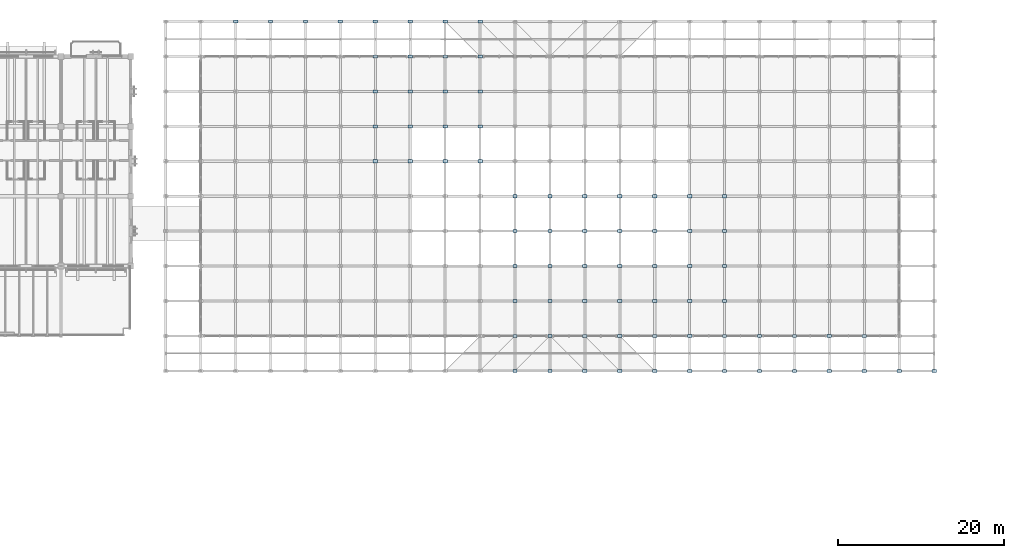
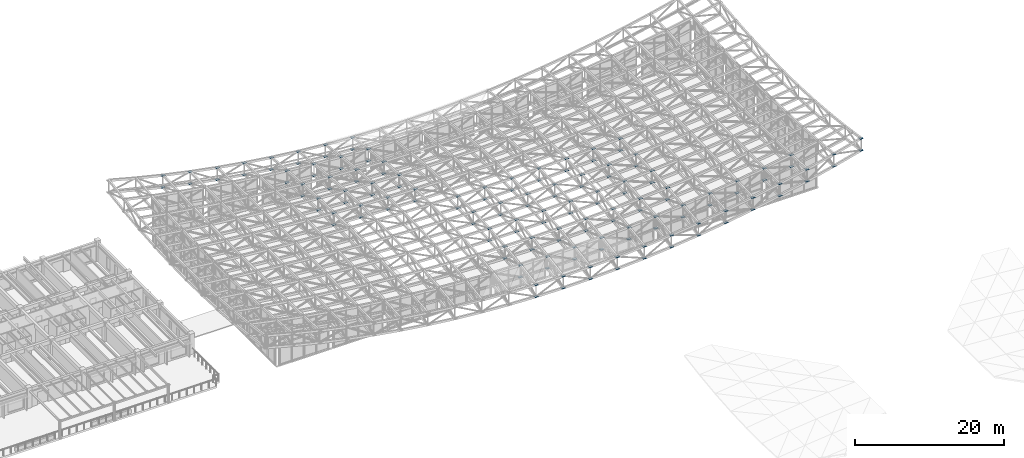
# One storey, part 79 of 111: 152 plates.
"""IFC4 building model written with IfcOpenShell, lengths in metres."""

from ifc_helpers import new_model, si_unit, direction, frame, origin, origin_2d, place, context, subcontext, project, spatial, rectangle, extrude, material, layer, layer_set, type_object, element, save


model = new_model("IFC4")

# Units and contexts
model_context = context("Model", 3, precision=1e-05, world=origin(), true_north=direction((0.0, 1.0)))
body_context = subcontext(model_context, "Body", "Model", "MODEL_VIEW")
ifc_project = project(units=[si_unit("LENGTHUNIT", "METRE"), si_unit("AREAUNIT", "SQUARE_METRE"), si_unit("VOLUMEUNIT", "CUBIC_METRE"), si_unit("PLANEANGLEUNIT", "RADIAN"), si_unit("MASSUNIT", "GRAM", prefix="KILO")], contexts=[model_context])

# Site, building, storey
site_placement = place(None, origin())
site = spatial("IfcSite", under=ifc_project, at=site_placement, CompositionType="ELEMENT")
building_placement = place(site_placement, origin())
building = spatial("IfcBuilding", under=site, at=building_placement, Name="Cumbredor Promenade Congress Hotel", CompositionType="ELEMENT")
storey_placement = place(building_placement, frame((0.0, 0.0, 15.1201171875)))
storey = spatial("IfcBuildingStorey", under=building, at=storey_placement, Name="L04", CompositionType="ELEMENT", Elevation=15.1201171875)

# Plates
ifc_material = material(Name="Steel ASTM A572 Grade 50", Category="steel")
ifc_layer = layer(ifc_material, 0.030029296875, Name="Steel ASTM A572 Grade 50", Category="steel")
ifc_layer_set = layer_set([ifc_layer], Name="Steel ASTM A572 Grade 50")
plate_type = type_object("IfcPlateType", Name="Forum Truss Node Assembly ND-04", PredefinedType="USERDEFINED", material=ifc_layer_set)
for number, where, z_axis, x_axis, name in (
    (1, (96.60009765625, 121.800048828125, 6.90869140625), (0.0, 0.0, 1.0), (1.0, 0.0, 0.0), "Pre-Function and Breakout Meeting Forum Space Frame Top Node 3.11"),
    (2, (96.60009765625, 121.800048828125, 4.958984375), (0.0, 0.0, 1.0), (1.0, 0.0, 0.0), "Pre-Function and Breakout Meeting Forum Space Frame Bottom Node 3.11"),
    (3, (100.800048828125, 121.800048828125, 6.01123046875), (0.0, 0.0, 1.0), (1.0, 0.0, 0.0), "Pre-Function and Breakout Meeting Forum Space Frame Top Node 4.11"),
    (4, (100.800048828125, 121.800048828125, 4.06103515625), (0.0, 0.0, 1.0), (1.0, 0.0, 0.0), "Pre-Function and Breakout Meeting Forum Space Frame Bottom Node 4.11"),
    (5, (105.0, 121.800048828125, 5.21875), (0.0, 0.0, 1.0), (1.0, 0.0, 0.0), "Pre-Function and Breakout Meeting Forum Space Frame Top Node 5.11"),
    (6, (105.0, 121.800048828125, 3.26904296875), (0.0, 0.0, 1.0), (1.0, 0.0, 0.0), "Pre-Function and Breakout Meeting Forum Space Frame Bottom Node 5.11"),
    (7, (109.199951171875, 121.800048828125, 4.53173828125), (0.0, 0.0, 1.0), (1.0, 0.0, 0.0), "Pre-Function and Breakout Meeting Forum Space Frame Top Node 6.11"),
    (8, (109.199951171875, 121.800048828125, 2.58203125), (0.0, 0.0, 1.0), (1.0, 0.0, 0.0), "Pre-Function and Breakout Meeting Forum Space Frame Bottom Node 6.11"),
    (9, (113.39990234375, 105.0, 5.0634765625), (0.0, 0.0, 1.0), (1.0, 0.0, 0.0), "Pre-Function and Breakout Meeting Forum Space Frame Top Node 7.7"),
    (10, (113.39990234375, 105.0, 3.11328125), (0.0, 0.0, 1.0), (1.0, 0.0, 0.0), "Pre-Function and Breakout Meeting Forum Space Frame Bottom Node 7.7"),
    (11, (113.39990234375, 109.199951171875, 4.923828125), (0.0, 0.0, 1.0), (1.0, 0.0, 0.0), "Pre-Function and Breakout Meeting Forum Space Frame Top Node 7.8"),
    (12, (113.39990234375, 109.199951171875, 2.97412109375), (0.0, 0.0, 1.0), (1.0, 0.0, 0.0), "Pre-Function and Breakout Meeting Forum Space Frame Bottom Node 7.8"),
    (13, (113.39990234375, 113.39990234375, 4.69189453125), (0.0, 0.0, 1.0), (1.0, 0.0, 0.0), "Pre-Function and Breakout Meeting Forum Space Frame Top Node 7.9"),
    (14, (113.39990234375, 113.39990234375, 2.74169921875), (0.0, 0.0, 1.0), (1.0, 0.0, 0.0), "Pre-Function and Breakout Meeting Forum Space Frame Bottom Node 7.9"),
    (15, (113.39990234375, 117.60009765625, 4.36669921875), (0.0, 0.0, 1.0), (1.0, 0.0, 0.0), "Pre-Function and Breakout Meeting Forum Space Frame Top Node 7.10"),
    (16, (113.39990234375, 117.60009765625, 2.4169921875), (0.0, 0.0, 1.0), (1.0, 0.0, 0.0), "Pre-Function and Breakout Meeting Forum Space Frame Bottom Node 7.10"),
    (17, (113.39990234375, 121.800048828125, 3.95068359375), (0.0, 0.0, 1.0), (1.0, 0.0, 0.0), "Pre-Function and Breakout Meeting Forum Space Frame Top Node 7.11"),
    (18, (113.39990234375, 121.800048828125, 2.00048828125), (0.0, 0.0, 1.0), (1.0, 0.0, 0.0), "Pre-Function and Breakout Meeting Forum Space Frame Bottom Node 7.11"),
    (19, (117.60009765625, 105.0, 4.84423828125), (0.0, 0.0, 1.0), (1.0, 0.0, 0.0), "Pre-Function and Breakout Meeting Forum Space Frame Top Node 8.7"),
    (20, (117.60009765625, 105.0, 2.89453125), (0.0, 0.0, 1.0), (1.0, 0.0, 0.0), "Pre-Function and Breakout Meeting Forum Space Frame Bottom Node 8.7"),
    (21, (117.60009765625, 109.199951171875, 4.6728515625), (0.0, 0.0, 1.0), (1.0, 0.0, 0.0), "Pre-Function and Breakout Meeting Forum Space Frame Top Node 8.8"),
    (22, (117.60009765625, 109.199951171875, 2.72314453125), (0.0, 0.0, 1.0), (1.0, 0.0, 0.0), "Pre-Function and Breakout Meeting Forum Space Frame Bottom Node 8.8"),
    (23, (117.60009765625, 113.39990234375, 4.38720703125), (0.0, 0.0, 1.0), (1.0, 0.0, 0.0), "Pre-Function and Breakout Meeting Forum Space Frame Top Node 8.9"),
    (24, (117.60009765625, 113.39990234375, 2.4375), (0.0, 0.0, 1.0), (1.0, 0.0, 0.0), "Pre-Function and Breakout Meeting Forum Space Frame Bottom Node 8.9"),
    (25, (117.60009765625, 117.60009765625, 3.9873046875), (0.0, 0.0, 1.0), (1.0, 0.0, 0.0), "Pre-Function and Breakout Meeting Forum Space Frame Top Node 8.10"),
    (26, (117.60009765625, 117.60009765625, 2.03759765625), (0.0, 0.0, 1.0), (1.0, 0.0, 0.0), "Pre-Function and Breakout Meeting Forum Space Frame Bottom Node 8.10"),
    (27, (117.60009765625, 121.800048828125, 3.474609375), (0.0, 0.0, 1.0), (1.0, 0.0, 0.0), "Pre-Function and Breakout Meeting Forum Space Frame Top Node 8.11"),
    (28, (117.60009765625, 121.800048828125, 1.52490234375), (0.0, 0.0, 1.0), (1.0, 0.0, 0.0), "Pre-Function and Breakout Meeting Forum Space Frame Bottom Node 8.11"),
    (29, (121.800048828125, 105.0, 4.67431640625), (0.0, 0.0, 1.0), (1.0, 0.0, 0.0), "Pre-Function and Breakout Meeting Forum Space Frame Top Node 9.7"),
    (30, (121.800048828125, 105.0, 2.724609375), (0.0, 0.0, 1.0), (1.0, 0.0, 0.0), "Pre-Function and Breakout Meeting Forum Space Frame Bottom Node 9.7"),
    (31, (121.800048828125, 109.199951171875, 4.47802734375), (0.0, 0.0, 1.0), (1.0, 0.0, 0.0), "Pre-Function and Breakout Meeting Forum Space Frame Top Node 9.8"),
    (32, (121.800048828125, 109.199951171875, 2.52783203125), (0.0, 0.0, 1.0), (1.0, 0.0, 0.0), "Pre-Function and Breakout Meeting Forum Space Frame Bottom Node 9.8"),
    (33, (121.800048828125, 113.39990234375, 4.150390625), (0.0, 0.0, 1.0), (1.0, 0.0, 0.0), "Pre-Function and Breakout Meeting Forum Space Frame Top Node 9.9"),
    (34, (121.800048828125, 113.39990234375, 2.20068359375), (0.0, 0.0, 1.0), (1.0, 0.0, 0.0), "Pre-Function and Breakout Meeting Forum Space Frame Bottom Node 9.9"),
    (35, (121.800048828125, 117.60009765625, 3.69189453125), (0.0, 0.0, 1.0), (1.0, 0.0, 0.0), "Pre-Function and Breakout Meeting Forum Space Frame Top Node 9.10"),
    (36, (121.800048828125, 117.60009765625, 1.7421875), (0.0, 0.0, 1.0), (1.0, 0.0, 0.0), "Pre-Function and Breakout Meeting Forum Space Frame Bottom Node 9.10"),
    (37, (121.800048828125, 121.800048828125, 3.1044921875), (0.0, 0.0, 1.0), (1.0, 0.0, 0.0), "Pre-Function and Breakout Meeting Forum Space Frame Top Node 9.11"),
    (38, (121.800048828125, 121.800048828125, 1.154296875), (0.0, 0.0, 1.0), (1.0, 0.0, 0.0), "Pre-Function and Breakout Meeting Forum Space Frame Bottom Node 9.11"),
    (39, (126.0, 105.0, 4.552734375), (0.0, 0.0, 1.0), (1.0, 0.0, 0.0), "Pre-Function and Breakout Meeting Forum Space Frame Top Node 10.7"),
    (40, (126.0, 105.0, 2.6025390625), (0.0, 0.0, 1.0), (1.0, 0.0, 0.0), "Pre-Function and Breakout Meeting Forum Space Frame Bottom Node 10.7"),
    (41, (126.0, 109.199951171875, 4.33837890625), (0.0, 0.0, 1.0), (1.0, 0.0, 0.0), "Pre-Function and Breakout Meeting Forum Space Frame Top Node 10.8"),
    (42, (126.0, 109.199951171875, 2.38818359375), (0.0, 0.0, 1.0), (1.0, 0.0, 0.0), "Pre-Function and Breakout Meeting Forum Space Frame Bottom Node 10.8"),
    (43, (126.0, 113.39990234375, 3.98095703125), (0.0, 0.0, 1.0), (1.0, 0.0, 0.0), "Pre-Function and Breakout Meeting Forum Space Frame Top Node 10.9"),
    (44, (126.0, 113.39990234375, 2.03125), (0.0, 0.0, 1.0), (1.0, 0.0, 0.0), "Pre-Function and Breakout Meeting Forum Space Frame Bottom Node 10.9"),
    (45, (126.0, 117.60009765625, 3.48095703125), (0.0, 0.0, 1.0), (1.0, 0.0, 0.0), "Pre-Function and Breakout Meeting Forum Space Frame Top Node 10.10"),
    (46, (126.0, 117.60009765625, 1.53125), (0.0, 0.0, 1.0), (1.0, 0.0, 0.0), "Pre-Function and Breakout Meeting Forum Space Frame Bottom Node 10.10"),
    (47, (126.0, 121.800048828125, 2.83984375), (0.0, 0.0, 1.0), (1.0, 0.0, 0.0), "Pre-Function and Breakout Meeting Forum Space Frame Top Node 10.11"),
    (48, (126.0, 121.800048828125, 0.89013671875), (0.0, 0.0, 1.0), (1.0, 0.0, 0.0), "Pre-Function and Breakout Meeting Forum Space Frame Bottom Node 10.11"),
    (49, (130.199951171875, 79.800048828125, 2.68115234375), (0.0, 0.0, 1.0), (1.0, 0.0, 0.0), "Pre-Function and Breakout Meeting Forum Space Frame Top Node 11.1"),
    (50, (130.199951171875, 79.800048828125, 0.7314453125), (0.0, 0.0, 1.0), (1.0, 0.0, 0.0), "Pre-Function and Breakout Meeting Forum Space Frame Bottom Node 11.1"),
    (51, (130.199951171875, 84.0, 3.3544921875), (0.0, 0.0, 1.0), (1.0, 0.0, 0.0), "Pre-Function and Breakout Meeting Forum Space Frame Top Node 11.2"),
    (52, (130.199951171875, 84.0, 1.40478515625), (0.0, 0.0, 1.0), (1.0, 0.0, 0.0), "Pre-Function and Breakout Meeting Forum Space Frame Bottom Node 11.2"),
    (53, (130.199951171875, 88.199951171875, 3.8798828125), (0.0, 0.0, 1.0), (1.0, 0.0, 0.0), "Pre-Function and Breakout Meeting Forum Space Frame Top Node 11.3"),
    (54, (130.199951171875, 88.199951171875, 1.9296875), (0.0, 0.0, 1.0), (1.0, 0.0, 0.0), "Pre-Function and Breakout Meeting Forum Space Frame Bottom Node 11.3"),
    (55, (130.199951171875, 92.39990234375, 4.2548828125), (0.0, 0.0, 1.0), (1.0, 0.0, 0.0), "Pre-Function and Breakout Meeting Forum Space Frame Top Node 11.4"),
    (56, (130.199951171875, 92.39990234375, 2.3046875), (0.0, 0.0, 1.0), (1.0, 0.0, 0.0), "Pre-Function and Breakout Meeting Forum Space Frame Bottom Node 11.4"),
    (57, (130.199951171875, 96.60009765625, 4.45556640625), (0.0, 0.0, 1.0), (1.0, 0.0, 0.0), "Pre-Function and Breakout Meeting Forum Space Frame Top Node 11.5"),
    (58, (130.199951171875, 96.60009765625, 2.50537109375), (0.0, 0.0, 1.0), (1.0, 0.0, 0.0), "Pre-Function and Breakout Meeting Forum Space Frame Bottom Node 11.5"),
    (59, (130.199951171875, 100.800048828125, 4.45556640625), (0.0, 0.0, 1.0), (1.0, 0.0, 0.0), "Pre-Function and Breakout Meeting Forum Space Frame Top Node 11.6"),
    (60, (130.199951171875, 100.800048828125, 2.505859375), (0.0, 0.0, 1.0), (1.0, 0.0, 0.0), "Pre-Function and Breakout Meeting Forum Space Frame Bottom Node 11.6"),
    (61, (134.39990234375, 79.800048828125, 2.62841796875), (0.0, 0.0, 1.0), (1.0, 0.0, 0.0), "Pre-Function and Breakout Meeting Forum Space Frame Top Node 12.1"),
    (62, (134.39990234375, 79.800048828125, 0.6787109375), (0.0, 0.0, 1.0), (1.0, 0.0, 0.0), "Pre-Function and Breakout Meeting Forum Space Frame Bottom Node 12.1"),
    (63, (134.39990234375, 84.0, 3.3125), (0.0, 0.0, 1.0), (1.0, 0.0, 0.0), "Pre-Function and Breakout Meeting Forum Space Frame Top Node 12.2"),
    (64, (134.39990234375, 84.0, 1.36279296875), (0.0, 0.0, 1.0), (1.0, 0.0, 0.0), "Pre-Function and Breakout Meeting Forum Space Frame Bottom Node 12.2"),
    (65, (134.39990234375, 88.199951171875, 3.845703125), (0.0, 0.0, 1.0), (1.0, 0.0, 0.0), "Pre-Function and Breakout Meeting Forum Space Frame Top Node 12.3"),
    (66, (134.39990234375, 88.199951171875, 1.89599609375), (0.0, 0.0, 1.0), (1.0, 0.0, 0.0), "Pre-Function and Breakout Meeting Forum Space Frame Bottom Node 12.3"),
    (67, (134.39990234375, 92.39990234375, 4.22705078125), (0.0, 0.0, 1.0), (1.0, 0.0, 0.0), "Pre-Function and Breakout Meeting Forum Space Frame Top Node 12.4"),
    (68, (134.39990234375, 92.39990234375, 2.27685546875), (0.0, 0.0, 1.0), (1.0, 0.0, 0.0), "Pre-Function and Breakout Meeting Forum Space Frame Bottom Node 12.4"),
    (69, (134.39990234375, 96.60009765625, 4.45556640625), (0.0, 0.0, 1.0), (1.0, 0.0, 0.0), "Pre-Function and Breakout Meeting Forum Space Frame Top Node 12.5"),
    (70, (134.39990234375, 96.60009765625, 2.50537109375), (0.0, 0.0, 1.0), (1.0, 0.0, 0.0), "Pre-Function and Breakout Meeting Forum Space Frame Bottom Node 12.5"),
    (71, (134.39990234375, 100.800048828125, 4.4560546875), (0.0, 0.0, 1.0), (1.0, 0.0, 0.0), "Pre-Function and Breakout Meeting Forum Space Frame Top Node 12.6"),
    (72, (134.39990234375, 100.800048828125, 2.505859375), (0.0, 0.0, 1.0), (1.0, 0.0, 0.0), "Pre-Function and Breakout Meeting Forum Space Frame Bottom Node 12.6"),
    (73, (138.60009765625, 79.800048828125, 2.68115234375), (0.0, 0.0, 1.0), (1.0, 0.0, 0.0), "Pre-Function and Breakout Meeting Forum Space Frame Top Node 13.1"),
    (74, (138.60009765625, 79.800048828125, 0.7314453125), (0.0, 0.0, 1.0), (1.0, 0.0, 0.0), "Pre-Function and Breakout Meeting Forum Space Frame Bottom Node 13.1"),
    (75, (138.60009765625, 84.0, 3.3544921875), (0.0, 0.0, 1.0), (1.0, 0.0, 0.0), "Pre-Function and Breakout Meeting Forum Space Frame Top Node 13.2"),
    (76, (138.60009765625, 84.0, 1.40478515625), (0.0, 0.0, 1.0), (1.0, 0.0, 0.0), "Pre-Function and Breakout Meeting Forum Space Frame Bottom Node 13.2"),
    (77, (138.60009765625, 88.199951171875, 3.8798828125), (0.0, 0.0, 1.0), (1.0, 0.0, 0.0), "Pre-Function and Breakout Meeting Forum Space Frame Top Node 13.3"),
    (78, (138.60009765625, 88.199951171875, 1.9296875), (0.0, 0.0, 1.0), (1.0, 0.0, 0.0), "Pre-Function and Breakout Meeting Forum Space Frame Bottom Node 13.3"),
    (79, (138.60009765625, 92.39990234375, 4.2548828125), (0.0, 0.0, 1.0), (1.0, 0.0, 0.0), "Pre-Function and Breakout Meeting Forum Space Frame Top Node 13.4"),
    (80, (138.60009765625, 92.39990234375, 2.3046875), (0.0, 0.0, 1.0), (1.0, 0.0, 0.0), "Pre-Function and Breakout Meeting Forum Space Frame Bottom Node 13.4"),
    (81, (138.60009765625, 96.60009765625, 4.45556640625), (0.0, 0.0, 1.0), (1.0, 0.0, 0.0), "Pre-Function and Breakout Meeting Forum Space Frame Top Node 13.5"),
    (82, (138.60009765625, 96.60009765625, 2.50537109375), (0.0, 0.0, 1.0), (1.0, 0.0, 0.0), "Pre-Function and Breakout Meeting Forum Space Frame Bottom Node 13.5"),
    (83, (138.60009765625, 100.800048828125, 4.45556640625), (0.0, 0.0, 1.0), (1.0, 0.0, 0.0), "Pre-Function and Breakout Meeting Forum Space Frame Top Node 13.6"),
    (84, (138.60009765625, 100.800048828125, 2.505859375), (0.0, 0.0, 1.0), (1.0, 0.0, 0.0), "Pre-Function and Breakout Meeting Forum Space Frame Bottom Node 13.6"),
    (85, (142.800048828125, 79.800048828125, 2.83984375), (0.0, 0.0, 1.0), (1.0, 0.0, 0.0), "Pre-Function and Breakout Meeting Forum Space Frame Top Node 14.1"),
    (86, (142.800048828125, 79.800048828125, 0.89013671875), (0.0, 0.0, 1.0), (1.0, 0.0, 0.0), "Pre-Function and Breakout Meeting Forum Space Frame Bottom Node 14.1"),
    (87, (142.800048828125, 84.0, 3.48095703125), (0.0, 0.0, 1.0), (1.0, 0.0, 0.0), "Pre-Function and Breakout Meeting Forum Space Frame Top Node 14.2"),
    (88, (142.800048828125, 84.0, 1.53125), (0.0, 0.0, 1.0), (1.0, 0.0, 0.0), "Pre-Function and Breakout Meeting Forum Space Frame Bottom Node 14.2"),
    (89, (142.800048828125, 88.199951171875, 3.98095703125), (0.0, 0.0, 1.0), (1.0, 0.0, 0.0), "Pre-Function and Breakout Meeting Forum Space Frame Top Node 14.3"),
    (90, (142.800048828125, 88.199951171875, 2.03125), (0.0, 0.0, 1.0), (1.0, 0.0, 0.0), "Pre-Function and Breakout Meeting Forum Space Frame Bottom Node 14.3"),
    (91, (142.800048828125, 92.39990234375, 4.33837890625), (0.0, 0.0, 1.0), (1.0, 0.0, 0.0), "Pre-Function and Breakout Meeting Forum Space Frame Top Node 14.4"),
    (92, (142.800048828125, 92.39990234375, 2.38818359375), (0.0, 0.0, 1.0), (1.0, 0.0, 0.0), "Pre-Function and Breakout Meeting Forum Space Frame Bottom Node 14.4"),
    (93, (142.800048828125, 96.60009765625, 4.552734375), (0.0, 0.0, 1.0), (1.0, 0.0, 0.0), "Pre-Function and Breakout Meeting Forum Space Frame Top Node 14.5"),
    (94, (142.800048828125, 96.60009765625, 2.6025390625), (0.0, 0.0, 1.0), (1.0, 0.0, 0.0), "Pre-Function and Breakout Meeting Forum Space Frame Bottom Node 14.5"),
    (95, (142.800048828125, 100.800048828125, 4.62451171875), (0.0, 0.0, 1.0), (1.0, 0.0, 0.0), "Pre-Function and Breakout Meeting Forum Space Frame Top Node 14.6"),
    (96, (142.800048828125, 100.800048828125, 2.67431640625), (0.0, 0.0, 1.0), (1.0, 0.0, 0.0), "Pre-Function and Breakout Meeting Forum Space Frame Bottom Node 14.6"),
    (97, (147.0, 79.800048828125, 3.1044921875), (0.0, 0.0, 1.0), (1.0, 0.0, 0.0), "Pre-Function and Breakout Meeting Forum Space Frame Top Node 15.1"),
    (98, (147.0, 79.800048828125, 1.154296875), (0.0, 0.0, 1.0), (1.0, 0.0, 0.0), "Pre-Function and Breakout Meeting Forum Space Frame Bottom Node 15.1"),
    (99, (147.0, 84.0, 3.69189453125), (0.0, 0.0, 1.0), (1.0, 0.0, 0.0), "Pre-Function and Breakout Meeting Forum Space Frame Top Node 15.2"),
    (100, (147.0, 84.0, 1.7421875), (0.0, 0.0, 1.0), (1.0, 0.0, 0.0), "Pre-Function and Breakout Meeting Forum Space Frame Bottom Node 15.2"),
    (101, (147.0, 88.199951171875, 4.150390625), (0.0, 0.0, 1.0), (1.0, 0.0, 0.0), "Pre-Function and Breakout Meeting Forum Space Frame Top Node 15.3"),
    (102, (147.0, 88.199951171875, 2.20068359375), (0.0, 0.0, 1.0), (1.0, 0.0, 0.0), "Pre-Function and Breakout Meeting Forum Space Frame Bottom Node 15.3"),
    (103, (147.0, 92.39990234375, 4.47802734375), (0.0, 0.0, 1.0), (1.0, 0.0, 0.0), "Pre-Function and Breakout Meeting Forum Space Frame Top Node 15.4"),
    (104, (147.0, 92.39990234375, 2.52783203125), (0.0, 0.0, 1.0), (1.0, 0.0, 0.0), "Pre-Function and Breakout Meeting Forum Space Frame Bottom Node 15.4"),
    (105, (147.0, 96.60009765625, 4.67431640625), (0.0, 0.0, 1.0), (1.0, 0.0, 0.0), "Pre-Function and Breakout Meeting Forum Space Frame Top Node 15.5"),
    (106, (147.0, 96.60009765625, 2.724609375), (0.0, 0.0, 1.0), (1.0, 0.0, 0.0), "Pre-Function and Breakout Meeting Forum Space Frame Bottom Node 15.5"),
    (107, (147.0, 100.800048828125, 4.73974609375), (0.0, 0.0, 1.0), (1.0, 0.0, 0.0), "Pre-Function and Breakout Meeting Forum Space Frame Top Node 15.6"),
    (108, (147.0, 100.800048828125, 2.7900390625), (0.0, 0.0, 1.0), (1.0, 0.0, 0.0), "Pre-Function and Breakout Meeting Forum Space Frame Bottom Node 15.6"),
    (109, (151.199951171875, 79.800048828125, 3.474609375), (0.0, 0.0, 1.0), (1.0, 0.0, 0.0), "Pre-Function and Breakout Meeting Forum Space Frame Top Node 16.1"),
    (110, (151.199951171875, 79.800048828125, 1.52490234375), (0.0, 0.0, 1.0), (1.0, 0.0, 0.0), "Pre-Function and Breakout Meeting Forum Space Frame Bottom Node 16.1"),
    (111, (151.199951171875, 84.0, 3.9873046875), (0.0, 0.0, 1.0), (1.0, 0.0, 0.0), "Pre-Function and Breakout Meeting Forum Space Frame Top Node 16.2"),
    (112, (151.199951171875, 84.0, 2.03759765625), (0.0, 0.0, 1.0), (1.0, 0.0, 0.0), "Pre-Function and Breakout Meeting Forum Space Frame Bottom Node 16.2"),
    (113, (151.199951171875, 88.199951171875, 4.38720703125), (0.0, 0.0, 1.0), (1.0, 0.0, 0.0), "Pre-Function and Breakout Meeting Forum Space Frame Top Node 16.3"),
    (114, (151.199951171875, 88.199951171875, 2.4375), (0.0, 0.0, 1.0), (1.0, 0.0, 0.0), "Pre-Function and Breakout Meeting Forum Space Frame Bottom Node 16.3"),
    (115, (151.199951171875, 92.39990234375, 4.6728515625), (0.0, 0.0, 1.0), (1.0, 0.0, 0.0), "Pre-Function and Breakout Meeting Forum Space Frame Top Node 16.4"),
    (116, (151.199951171875, 92.39990234375, 2.72314453125), (0.0, 0.0, 1.0), (1.0, 0.0, 0.0), "Pre-Function and Breakout Meeting Forum Space Frame Bottom Node 16.4"),
    (117, (151.199951171875, 96.60009765625, 4.84423828125), (0.0, 0.0, 1.0), (1.0, 0.0, 0.0), "Pre-Function and Breakout Meeting Forum Space Frame Top Node 16.5"),
    (118, (151.199951171875, 96.60009765625, 2.89453125), (0.0, 0.0, 1.0), (1.0, 0.0, 0.0), "Pre-Function and Breakout Meeting Forum Space Frame Bottom Node 16.5"),
    (119, (151.199951171875, 100.800048828125, 4.90185546875), (0.0, 0.0, 1.0), (1.0, 0.0, 0.0), "Pre-Function and Breakout Meeting Forum Space Frame Top Node 16.6"),
    (120, (151.199951171875, 100.800048828125, 2.95166015625), (0.0, 0.0, 1.0), (1.0, 0.0, 0.0), "Pre-Function and Breakout Meeting Forum Space Frame Bottom Node 16.6"),
    (121, (155.39990234375, 79.800048828125, 3.95068359375), (0.0, 0.0, 1.0), (1.0, 0.0, 0.0), "Pre-Function and Breakout Meeting Forum Space Frame Top Node 17.1"),
    (122, (155.39990234375, 79.800048828125, 2.00048828125), (0.0, 0.0, 1.0), (1.0, 0.0, 0.0), "Pre-Function and Breakout Meeting Forum Space Frame Bottom Node 17.1"),
    (123, (155.39990234375, 84.0, 4.36669921875), (0.0, 0.0, 1.0), (1.0, 0.0, 0.0), "Pre-Function and Breakout Meeting Forum Space Frame Top Node 17.2"),
    (124, (155.39990234375, 84.0, 2.4169921875), (0.0, 0.0, 1.0), (1.0, 0.0, 0.0), "Pre-Function and Breakout Meeting Forum Space Frame Bottom Node 17.2"),
    (125, (155.39990234375, 88.199951171875, 4.69189453125), (0.0, 0.0, 1.0), (1.0, 0.0, 0.0), "Pre-Function and Breakout Meeting Forum Space Frame Top Node 17.3"),
    (126, (155.39990234375, 88.199951171875, 2.74169921875), (0.0, 0.0, 1.0), (1.0, 0.0, 0.0), "Pre-Function and Breakout Meeting Forum Space Frame Bottom Node 17.3"),
    (127, (155.39990234375, 92.39990234375, 4.923828125), (0.0, 0.0, 1.0), (1.0, 0.0, 0.0), "Pre-Function and Breakout Meeting Forum Space Frame Top Node 17.4"),
    (128, (155.39990234375, 92.39990234375, 2.97412109375), (0.0, 0.0, 1.0), (1.0, 0.0, 0.0), "Pre-Function and Breakout Meeting Forum Space Frame Bottom Node 17.4"),
    (129, (155.39990234375, 96.60009765625, 5.0634765625), (0.0, 0.0, 1.0), (1.0, 0.0, 0.0), "Pre-Function and Breakout Meeting Forum Space Frame Top Node 17.5"),
    (130, (155.39990234375, 96.60009765625, 3.11328125), (0.0, 0.0, 1.0), (1.0, 0.0, 0.0), "Pre-Function and Breakout Meeting Forum Space Frame Bottom Node 17.5"),
    (131, (155.39990234375, 100.800048828125, 5.10986328125), (0.0, 0.0, 1.0), (1.0, 0.0, 0.0), "Pre-Function and Breakout Meeting Forum Space Frame Top Node 17.6"),
    (132, (155.39990234375, 100.800048828125, 3.15966796875), (0.0, 0.0, 1.0), (1.0, 0.0, 0.0), "Pre-Function and Breakout Meeting Forum Space Frame Bottom Node 17.6"),
    (133, (159.60009765625, 79.800048828125, 4.53173828125), (0.0, 0.0, 1.0), (1.0, 0.0, 0.0), "Pre-Function and Breakout Meeting Forum Space Frame Top Node 18.1"),
    (134, (159.60009765625, 79.800048828125, 2.58203125), (0.0, 0.0, 1.0), (1.0, 0.0, 0.0), "Pre-Function and Breakout Meeting Forum Space Frame Bottom Node 18.1"),
    (135, (159.60009765625, 84.0, 4.83056640625), (0.0, 0.0, 1.0), (1.0, 0.0, 0.0), "Pre-Function and Breakout Meeting Forum Space Frame Top Node 18.2"),
    (136, (159.60009765625, 84.0, 2.88037109375), (0.0, 0.0, 1.0), (1.0, 0.0, 0.0), "Pre-Function and Breakout Meeting Forum Space Frame Bottom Node 18.2"),
    (137, (163.800048828125, 79.800048828125, 5.21875), (0.0, 0.0, 1.0), (1.0, 0.0, 0.0), "Pre-Function and Breakout Meeting Forum Space Frame Top Node 19.1"),
    (138, (163.800048828125, 79.800048828125, 3.26904296875), (0.0, 0.0, 1.0), (1.0, 0.0, 0.0), "Pre-Function and Breakout Meeting Forum Space Frame Bottom Node 19.1"),
    (139, (163.800048828125, 84.0, 5.3779296875), (0.0, 0.0, 1.0), (1.0, 0.0, 0.0), "Pre-Function and Breakout Meeting Forum Space Frame Top Node 19.2"),
    (140, (163.800048828125, 84.0, 3.42822265625), (0.0, 0.0, 1.0), (1.0, 0.0, 0.0), "Pre-Function and Breakout Meeting Forum Space Frame Bottom Node 19.2"),
    (141, (168.0, 79.800048828125, 6.01123046875), (0.0, 0.0, 1.0), (1.0, 0.0, 0.0), "Pre-Function and Breakout Meeting Forum Space Frame Top Node 20.1"),
    (142, (168.0, 79.800048828125, 4.06103515625), (0.0, 0.0, 1.0), (1.0, 0.0, 0.0), "Pre-Function and Breakout Meeting Forum Space Frame Bottom Node 20.1"),
    (143, (168.0, 84.0, 6.009765625), (0.0, 0.0, 1.0), (1.0, 0.0, 0.0), "Pre-Function and Breakout Meeting Forum Space Frame Top Node 20.2"),
    (144, (168.0, 84.0, 4.0595703125), (0.0, 0.0, 1.0), (1.0, 0.0, 0.0), "Pre-Function and Breakout Meeting Forum Space Frame Bottom Node 20.2"),
    (145, (172.199951171875, 79.800048828125, 6.90869140625), (0.0, 0.0, 1.0), (1.0, 0.0, 0.0), "Pre-Function and Breakout Meeting Forum Space Frame Top Node 21.1"),
    (146, (172.199951171875, 79.800048828125, 4.958984375), (0.0, 0.0, 1.0), (1.0, 0.0, 0.0), "Pre-Function and Breakout Meeting Forum Space Frame Bottom Node 21.1"),
    (147, (172.199951171875, 84.0, 6.72509765625), (0.0, 0.0, 1.0), (1.0, 0.0, 0.0), "Pre-Function and Breakout Meeting Forum Space Frame Top Node 21.2"),
    (148, (172.199951171875, 84.0, 4.775390625), (0.0, 0.0, 1.0), (1.0, 0.0, 0.0), "Pre-Function and Breakout Meeting Forum Space Frame Bottom Node 21.2"),
    (149, (176.39990234375, 79.800048828125, 7.91162109375), (0.0, 0.0, 1.0), (1.0, 0.0, 0.0), "Pre-Function and Breakout Meeting Forum Space Frame Top Node 22.1"),
    (150, (176.39990234375, 79.800048828125, 5.96142578125), (0.0, 0.0, 1.0), (1.0, 0.0, 0.0), "Pre-Function and Breakout Meeting Forum Space Frame Bottom Node 22.1"),
    (151, (180.60009765625, 79.800048828125, 9.0224609375), (0.0, 0.0, 1.0), (1.0, 0.0, 0.0), "Pre-Function and Breakout Meeting Forum Space Frame Top Node 23.1"),
    (152, (180.60009765625, 79.800048828125, 7.072265625), (0.0, 0.0, 1.0), (1.0, 0.0, 0.0), "Pre-Function and Breakout Meeting Forum Space Frame Bottom Node 23.1"),
):
    element("IfcPlate", number, at=place(storey_placement, frame(where, z_axis=z_axis, x_axis=x_axis)), inside=storey, type_object=plate_type, Name=name, ObjectType="GUSSET PLATE", PredefinedType="USERDEFINED", context=body_context, shape_type="SweptSolid", body=[
        extrude(rectangle(XDim=0.52001953125, YDim=0.3798828125, at=origin_2d()), origin(), (0.0, 0.0, 1.0), 0.030029296875),
    ])

save(model, "model.ifc")
